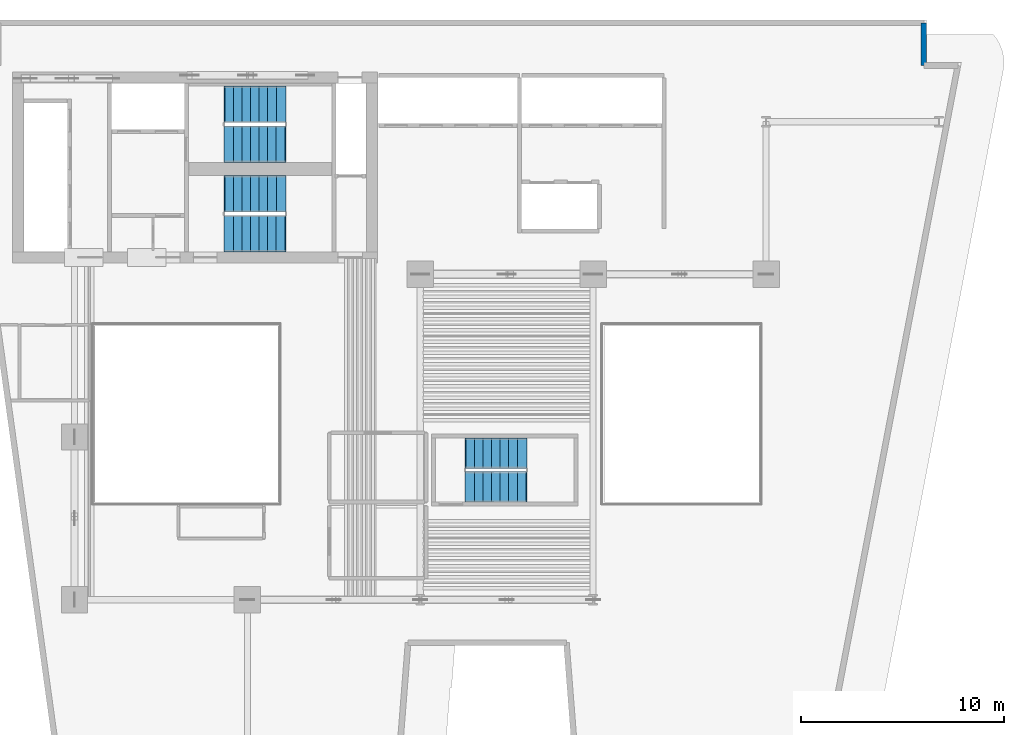
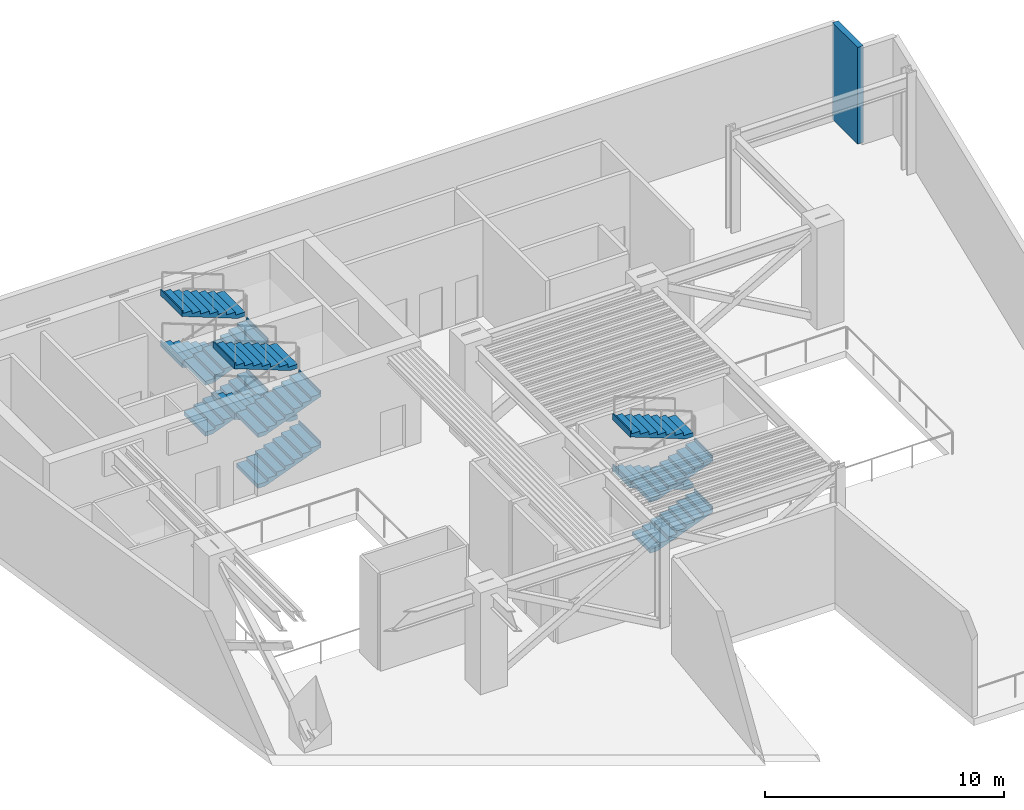
# One storey, part 5 of 8: 12 stair flights, 1 wall, 3 elements without a shape of their own.
"""IFC4 building model written with IfcOpenShell, lengths in metres."""

from ifc_helpers import new_model, si_unit, direction, frame, frame_2d, origin, place, context, subcontext, project, spatial, polyline, rectangle, outline, extrude, material, layer, layer_set, type_object, element, aggregate, save


model = new_model("IFC4")

# Units and contexts
model_context = context("Model", 3, precision=1e-05, world=origin(), true_north=direction((0.0, 1.0)))
body_context = subcontext(model_context, "Body", "Model", "MODEL_VIEW")
ifc_project = project(units=[si_unit("LENGTHUNIT", "METRE"), si_unit("AREAUNIT", "SQUARE_METRE"), si_unit("VOLUMEUNIT", "CUBIC_METRE"), si_unit("PLANEANGLEUNIT", "RADIAN"), si_unit("MASSUNIT", "GRAM", prefix="KILO")], contexts=[model_context])

# Site, building, storey
site_placement = place(None, origin())
site = spatial("IfcSite", under=ifc_project, at=site_placement, CompositionType="ELEMENT")
building_placement = place(site_placement, origin())
building = spatial("IfcBuilding", under=site, at=building_placement, Name="Caeloran Harvest Quay", CompositionType="ELEMENT")
storey_placement = place(building_placement, frame((0.0, 0.0, 106.199951171875)))
storey = spatial("IfcBuildingStorey", under=building, at=storey_placement, Name="L24", CompositionType="ELEMENT", Elevation=106.199951171875)

# Wall
ifc_material_1 = material(Name="Precast concrete C50/60", Category="concrete")
ifc_layer = layer(ifc_material_1, 0.280029296875, Name="Precast concrete C50/60")
ifc_layer_set = layer_set([ifc_layer], Name="Precast concrete C50/60")
wall_type = type_object("IfcWallType", Name="ENV-WALL-EW-280", PredefinedType="STANDARD", material=ifc_layer_set)
wall_placement = place(storey_placement, frame((50.260009765625, 43.360107421875, 0.0), z_axis=(0.0, 0.0, 1.0), x_axis=(0.0, -1.0, 0.0)))
element("IfcWall", 1, at=wall_placement, inside=storey, type_object=wall_type, Name="L24 Exterior Precast Concrete Facade Wall 7", PredefinedType="STANDARD", context=body_context, shape_type="SweptSolid", body=[
    extrude(rectangle(XDim=2.10009765625, YDim=0.280029296875, at=frame_2d((1.050048828125, 0.0))), origin(), (0.0, 0.0, 1.0), 4.93994140625),
])

# Stair, stair flights
ifc_material_2 = material(Name="Concrete C50/60", Category="concrete")
stair_type_1 = type_object("IfcStairType", Name="STAIR-STC-180", PredefinedType="HALF_TURN_STAIR", material=ifc_material_2)
stair_1_placement = place(storey_placement, origin())
stair_1 = element("IfcStair", 2, at=stair_1_placement, inside=storey, type_object=stair_type_1, Name="L24 Core Pressurized Exit Stair ST-C1", PredefinedType="HALF_TURN_STAIR")
stair_flight_type_1 = type_object("IfcStairFlightType", Name="FLIGHT-STC-180", PredefinedType="STRAIGHT", material=ifc_material_2)
stair_flight_1_placement = place(storey_placement, frame((15.89990234375, 37.39990234375, 0.0), z_axis=(0.0, 0.0, 1.0), x_axis=(1.0, 0.0, 0.0)))
stair_flight_1 = element("IfcStairFlight", 3, at=stair_flight_1_placement, type_object=stair_flight_type_1, Name="ST-C1 flight 1", NumberOfRisers=8, NumberOfTreads=7, PredefinedType="STRAIGHT", RiserHeight=0.1625, TreadLength=0.42, context=body_context, shape_type="SweptSolid", body=[
    extrude(outline(polyline([(-0.054931640625, -0.044921875), (-0.054931640625, -0.031982421875), (-0.054931640625, -0.01904296875), (-0.054931640625, -0.006103515625), (-0.054931640625, 0.0068359375), (-0.054931640625, 0.019775390625), (-0.054931640625, 0.03271484375), (-0.054931640625, 0.0458984375), (-0.054931640625, 0.058837890625), (-0.054931640625, 0.07177734375), (-0.054931640625, 0.084716796875), (-0.054931640625, 0.09765625), (-0.054931640625, 0.110595703125), (-0.054931640625, 0.12353515625), (-0.054931640625, 0.136474609375), (-0.054931640625, 0.1494140625), (-0.054931640625, 0.16259765625), (0.419921875, 0.16259765625), (0.419921875, 0.324951171875), (0.840087890625, 0.324951171875), (0.840087890625, 0.487548828125), (1.260009765625, 0.487548828125), (1.260009765625, 0.64990234375), (1.679931640625, 0.64990234375), (1.679931640625, 0.8125), (2.10009765625, 0.8125), (2.10009765625, 0.97509765625), (2.52001953125, 0.97509765625), (2.52001953125, 1.137451171875), (2.93994140625, 1.137451171875), (2.93994140625, 1.300048828125), (2.9951171875, 1.300048828125), (2.9951171875, 1.27978515625), (2.9951171875, 1.259521484375), (2.9951171875, 1.239501953125), (2.9951171875, 1.21923828125), (2.9951171875, 1.198974609375), (2.9951171875, 1.1787109375), (2.9951171875, 1.15869140625), (2.9951171875, 1.138427734375), (2.9951171875, 1.1181640625), (2.9951171875, 1.097900390625), (2.9951171875, 1.077880859375), (2.9951171875, 1.0576171875), (2.9951171875, 1.037353515625), (2.9951171875, 1.01708984375), (2.9951171875, 0.9970703125), (2.9951171875, 0.976806640625), (2.93994140625, 0.976806640625), (0.299072265625, -0.044921875), (-0.054931640625, -0.044921875)])), frame((0.0, 0.89990234375, 0.0), z_axis=(0.0, -1.0, 0.0), x_axis=(1.0, 0.0, 0.0)), (0.0, 0.0, 1.0), 1.800048828125),
])
stair_flight_2_placement = place(storey_placement, frame((18.840087890625, 39.35009765625, 1.300048828125), z_axis=(0.0, 0.0, 1.0), x_axis=(-1.0, 0.0, 0.0)))
stair_flight_2 = element("IfcStairFlight", 4, at=stair_flight_2_placement, type_object=stair_flight_type_1, Name="ST-C1 flight 2", NumberOfRisers=8, NumberOfTreads=7, PredefinedType="STRAIGHT", RiserHeight=0.1625, TreadLength=0.42, context=body_context, shape_type="SweptSolid", body=[
    extrude(outline(polyline([(-0.054931640625, -0.044921875), (-0.054931640625, -0.031982421875), (-0.054931640625, -0.01904296875), (-0.054931640625, -0.006103515625), (-0.054931640625, 0.0068359375), (-0.054931640625, 0.019775390625), (-0.054931640625, 0.03271484375), (-0.054931640625, 0.0458984375), (-0.054931640625, 0.058837890625), (-0.054931640625, 0.07177734375), (-0.054931640625, 0.084716796875), (-0.054931640625, 0.09765625), (-0.054931640625, 0.110595703125), (-0.054931640625, 0.12353515625), (-0.054931640625, 0.136474609375), (-0.054931640625, 0.1494140625), (-0.054931640625, 0.16259765625), (0.419921875, 0.16259765625), (0.419921875, 0.324951171875), (0.840087890625, 0.324951171875), (0.840087890625, 0.487548828125), (1.260009765625, 0.487548828125), (1.260009765625, 0.64990234375), (1.679931640625, 0.64990234375), (1.679931640625, 0.8125), (2.10009765625, 0.8125), (2.10009765625, 0.97509765625), (2.52001953125, 0.97509765625), (2.52001953125, 1.137451171875), (2.93994140625, 1.137451171875), (2.93994140625, 1.300048828125), (2.9951171875, 1.300048828125), (2.9951171875, 1.27978515625), (2.9951171875, 1.259521484375), (2.9951171875, 1.239501953125), (2.9951171875, 1.21923828125), (2.9951171875, 1.198974609375), (2.9951171875, 1.1787109375), (2.9951171875, 1.15869140625), (2.9951171875, 1.138427734375), (2.9951171875, 1.1181640625), (2.9951171875, 1.097900390625), (2.9951171875, 1.077880859375), (2.9951171875, 1.0576171875), (2.9951171875, 1.037353515625), (2.9951171875, 1.01708984375), (2.9951171875, 0.9970703125), (2.9951171875, 0.976806640625), (2.93994140625, 0.976806640625), (0.299072265625, -0.044921875), (-0.054931640625, -0.044921875)])), frame((0.0, 0.89990234375, 0.0), z_axis=(0.0, -1.0, 0.0), x_axis=(1.0, 0.0, 0.0)), (0.0, 0.0, 1.0), 1.800048828125),
])
stair_flight_3_placement = place(storey_placement, frame((15.89990234375, 37.39990234375, 2.60009765625), z_axis=(0.0, 0.0, 1.0), x_axis=(1.0, 0.0, 0.0)))
stair_flight_3 = element("IfcStairFlight", 5, at=stair_flight_3_placement, type_object=stair_flight_type_1, Name="ST-C1 flight 3", NumberOfRisers=8, NumberOfTreads=7, PredefinedType="STRAIGHT", RiserHeight=0.1625, TreadLength=0.42, context=body_context, shape_type="SweptSolid", body=[
    extrude(outline(polyline([(-0.054931640625, -0.044921875), (-0.054931640625, -0.031982421875), (-0.054931640625, -0.01904296875), (-0.054931640625, -0.006103515625), (-0.054931640625, 0.0068359375), (-0.054931640625, 0.019775390625), (-0.054931640625, 0.03271484375), (-0.054931640625, 0.0458984375), (-0.054931640625, 0.058837890625), (-0.054931640625, 0.07177734375), (-0.054931640625, 0.084716796875), (-0.054931640625, 0.09765625), (-0.054931640625, 0.110595703125), (-0.054931640625, 0.12353515625), (-0.054931640625, 0.136474609375), (-0.054931640625, 0.1494140625), (-0.054931640625, 0.16259765625), (0.419921875, 0.16259765625), (0.419921875, 0.324951171875), (0.840087890625, 0.324951171875), (0.840087890625, 0.487548828125), (1.260009765625, 0.487548828125), (1.260009765625, 0.64990234375), (1.679931640625, 0.64990234375), (1.679931640625, 0.8125), (2.10009765625, 0.8125), (2.10009765625, 0.97509765625), (2.52001953125, 0.97509765625), (2.52001953125, 1.137451171875), (2.93994140625, 1.137451171875), (2.93994140625, 1.300048828125), (2.9951171875, 1.300048828125), (2.9951171875, 1.27978515625), (2.9951171875, 1.259521484375), (2.9951171875, 1.239501953125), (2.9951171875, 1.21923828125), (2.9951171875, 1.198974609375), (2.9951171875, 1.1787109375), (2.9951171875, 1.15869140625), (2.9951171875, 1.138427734375), (2.9951171875, 1.1181640625), (2.9951171875, 1.097900390625), (2.9951171875, 1.077880859375), (2.9951171875, 1.0576171875), (2.9951171875, 1.037353515625), (2.9951171875, 1.01708984375), (2.9951171875, 0.9970703125), (2.9951171875, 0.976806640625), (2.93994140625, 0.976806640625), (0.299072265625, -0.044921875), (-0.054931640625, -0.044921875)])), frame((0.0, 0.89990234375, 0.0), z_axis=(0.0, -1.0, 0.0), x_axis=(1.0, 0.0, 0.0)), (0.0, 0.0, 1.0), 1.800048828125),
])
stair_flight_4_placement = place(storey_placement, frame((18.840087890625, 39.35009765625, 3.900146484375), z_axis=(0.0, 0.0, 1.0), x_axis=(-1.0, 0.0, 0.0)))
stair_flight_4 = element("IfcStairFlight", 6, at=stair_flight_4_placement, type_object=stair_flight_type_1, Name="ST-C1 flight 4", NumberOfRisers=8, NumberOfTreads=7, PredefinedType="STRAIGHT", RiserHeight=0.1625, TreadLength=0.42, context=body_context, shape_type="SweptSolid", body=[
    extrude(outline(polyline([(-0.054931640625, -0.044921875), (-0.054931640625, -0.031982421875), (-0.054931640625, -0.01904296875), (-0.054931640625, -0.006103515625), (-0.054931640625, 0.0068359375), (-0.054931640625, 0.019775390625), (-0.054931640625, 0.03271484375), (-0.054931640625, 0.0458984375), (-0.054931640625, 0.058837890625), (-0.054931640625, 0.07177734375), (-0.054931640625, 0.084716796875), (-0.054931640625, 0.09765625), (-0.054931640625, 0.110595703125), (-0.054931640625, 0.12353515625), (-0.054931640625, 0.136474609375), (-0.054931640625, 0.1494140625), (-0.054931640625, 0.16259765625), (0.419921875, 0.16259765625), (0.419921875, 0.324951171875), (0.840087890625, 0.324951171875), (0.840087890625, 0.487548828125), (1.260009765625, 0.487548828125), (1.260009765625, 0.64990234375), (1.679931640625, 0.64990234375), (1.679931640625, 0.8125), (2.10009765625, 0.8125), (2.10009765625, 0.97509765625), (2.52001953125, 0.97509765625), (2.52001953125, 1.137451171875), (2.93994140625, 1.137451171875), (2.93994140625, 1.300048828125), (2.9951171875, 1.300048828125), (2.9951171875, 1.27978515625), (2.9951171875, 1.259521484375), (2.9951171875, 1.239501953125), (2.9951171875, 1.21923828125), (2.9951171875, 1.198974609375), (2.9951171875, 1.1787109375), (2.9951171875, 1.15869140625), (2.9951171875, 1.138427734375), (2.9951171875, 1.1181640625), (2.9951171875, 1.097900390625), (2.9951171875, 1.077880859375), (2.9951171875, 1.0576171875), (2.9951171875, 1.037353515625), (2.9951171875, 1.01708984375), (2.9951171875, 0.9970703125), (2.9951171875, 0.976806640625), (2.93994140625, 0.976806640625), (0.299072265625, -0.044921875), (-0.054931640625, -0.044921875)])), frame((0.0, 0.89990234375, 0.0), z_axis=(0.0, -1.0, 0.0), x_axis=(1.0, 0.0, 0.0)), (0.0, 0.0, 1.0), 1.800048828125),
])
aggregate(stair_1, [stair_flight_1, stair_flight_2, stair_flight_3, stair_flight_4])

stair_2_placement = place(storey_placement, origin())
stair_2 = element("IfcStair", 7, at=stair_2_placement, inside=storey, type_object=stair_type_1, Name="L24 Core Pressurized Exit Stair ST-C2", PredefinedType="HALF_TURN_STAIR")
stair_flight_5_placement = place(storey_placement, frame((15.89990234375, 33.0, 0.0), z_axis=(0.0, 0.0, 1.0), x_axis=(1.0, 0.0, 0.0)))
stair_flight_5 = element("IfcStairFlight", 8, at=stair_flight_5_placement, type_object=stair_flight_type_1, Name="ST-C2 flight 1", NumberOfRisers=8, NumberOfTreads=7, PredefinedType="STRAIGHT", RiserHeight=0.1625, TreadLength=0.42, context=body_context, shape_type="SweptSolid", body=[
    extrude(outline(polyline([(-0.054931640625, -0.044921875), (-0.054931640625, -0.031982421875), (-0.054931640625, -0.01904296875), (-0.054931640625, -0.006103515625), (-0.054931640625, 0.0068359375), (-0.054931640625, 0.019775390625), (-0.054931640625, 0.03271484375), (-0.054931640625, 0.0458984375), (-0.054931640625, 0.058837890625), (-0.054931640625, 0.07177734375), (-0.054931640625, 0.084716796875), (-0.054931640625, 0.09765625), (-0.054931640625, 0.110595703125), (-0.054931640625, 0.12353515625), (-0.054931640625, 0.136474609375), (-0.054931640625, 0.1494140625), (-0.054931640625, 0.16259765625), (0.419921875, 0.16259765625), (0.419921875, 0.324951171875), (0.840087890625, 0.324951171875), (0.840087890625, 0.487548828125), (1.260009765625, 0.487548828125), (1.260009765625, 0.64990234375), (1.679931640625, 0.64990234375), (1.679931640625, 0.8125), (2.10009765625, 0.8125), (2.10009765625, 0.97509765625), (2.52001953125, 0.97509765625), (2.52001953125, 1.137451171875), (2.93994140625, 1.137451171875), (2.93994140625, 1.300048828125), (2.9951171875, 1.300048828125), (2.9951171875, 1.27978515625), (2.9951171875, 1.259521484375), (2.9951171875, 1.239501953125), (2.9951171875, 1.21923828125), (2.9951171875, 1.198974609375), (2.9951171875, 1.1787109375), (2.9951171875, 1.15869140625), (2.9951171875, 1.138427734375), (2.9951171875, 1.1181640625), (2.9951171875, 1.097900390625), (2.9951171875, 1.077880859375), (2.9951171875, 1.0576171875), (2.9951171875, 1.037353515625), (2.9951171875, 1.01708984375), (2.9951171875, 0.9970703125), (2.9951171875, 0.976806640625), (2.93994140625, 0.976806640625), (0.299072265625, -0.044921875), (-0.054931640625, -0.044921875)])), frame((0.0, 0.89990234375, 0.0), z_axis=(0.0, -1.0, 0.0), x_axis=(1.0, 0.0, 0.0)), (0.0, 0.0, 1.0), 1.800048828125),
])
stair_flight_6_placement = place(storey_placement, frame((18.840087890625, 34.949951171875, 1.300048828125), z_axis=(0.0, 0.0, 1.0), x_axis=(-1.0, 0.0, 0.0)))
stair_flight_6 = element("IfcStairFlight", 9, at=stair_flight_6_placement, type_object=stair_flight_type_1, Name="ST-C2 flight 2", NumberOfRisers=8, NumberOfTreads=7, PredefinedType="STRAIGHT", RiserHeight=0.1625, TreadLength=0.42, context=body_context, shape_type="SweptSolid", body=[
    extrude(outline(polyline([(-0.054931640625, -0.044921875), (-0.054931640625, -0.031982421875), (-0.054931640625, -0.01904296875), (-0.054931640625, -0.006103515625), (-0.054931640625, 0.0068359375), (-0.054931640625, 0.019775390625), (-0.054931640625, 0.03271484375), (-0.054931640625, 0.0458984375), (-0.054931640625, 0.058837890625), (-0.054931640625, 0.07177734375), (-0.054931640625, 0.084716796875), (-0.054931640625, 0.09765625), (-0.054931640625, 0.110595703125), (-0.054931640625, 0.12353515625), (-0.054931640625, 0.136474609375), (-0.054931640625, 0.1494140625), (-0.054931640625, 0.16259765625), (0.419921875, 0.16259765625), (0.419921875, 0.324951171875), (0.840087890625, 0.324951171875), (0.840087890625, 0.487548828125), (1.260009765625, 0.487548828125), (1.260009765625, 0.64990234375), (1.679931640625, 0.64990234375), (1.679931640625, 0.8125), (2.10009765625, 0.8125), (2.10009765625, 0.97509765625), (2.52001953125, 0.97509765625), (2.52001953125, 1.137451171875), (2.93994140625, 1.137451171875), (2.93994140625, 1.300048828125), (2.9951171875, 1.300048828125), (2.9951171875, 1.27978515625), (2.9951171875, 1.259521484375), (2.9951171875, 1.239501953125), (2.9951171875, 1.21923828125), (2.9951171875, 1.198974609375), (2.9951171875, 1.1787109375), (2.9951171875, 1.15869140625), (2.9951171875, 1.138427734375), (2.9951171875, 1.1181640625), (2.9951171875, 1.097900390625), (2.9951171875, 1.077880859375), (2.9951171875, 1.0576171875), (2.9951171875, 1.037353515625), (2.9951171875, 1.01708984375), (2.9951171875, 0.9970703125), (2.9951171875, 0.976806640625), (2.93994140625, 0.976806640625), (0.299072265625, -0.044921875), (-0.054931640625, -0.044921875)])), frame((0.0, 0.89990234375, 0.0), z_axis=(0.0, -1.0, 0.0), x_axis=(1.0, 0.0, 0.0)), (0.0, 0.0, 1.0), 1.800048828125),
])
stair_flight_7_placement = place(storey_placement, frame((15.89990234375, 33.0, 2.60009765625), z_axis=(0.0, 0.0, 1.0), x_axis=(1.0, 0.0, 0.0)))
stair_flight_7 = element("IfcStairFlight", 10, at=stair_flight_7_placement, type_object=stair_flight_type_1, Name="ST-C2 flight 3", NumberOfRisers=8, NumberOfTreads=7, PredefinedType="STRAIGHT", RiserHeight=0.1625, TreadLength=0.42, context=body_context, shape_type="SweptSolid", body=[
    extrude(outline(polyline([(-0.054931640625, -0.044921875), (-0.054931640625, -0.031982421875), (-0.054931640625, -0.01904296875), (-0.054931640625, -0.006103515625), (-0.054931640625, 0.0068359375), (-0.054931640625, 0.019775390625), (-0.054931640625, 0.03271484375), (-0.054931640625, 0.0458984375), (-0.054931640625, 0.058837890625), (-0.054931640625, 0.07177734375), (-0.054931640625, 0.084716796875), (-0.054931640625, 0.09765625), (-0.054931640625, 0.110595703125), (-0.054931640625, 0.12353515625), (-0.054931640625, 0.136474609375), (-0.054931640625, 0.1494140625), (-0.054931640625, 0.16259765625), (0.419921875, 0.16259765625), (0.419921875, 0.324951171875), (0.840087890625, 0.324951171875), (0.840087890625, 0.487548828125), (1.260009765625, 0.487548828125), (1.260009765625, 0.64990234375), (1.679931640625, 0.64990234375), (1.679931640625, 0.8125), (2.10009765625, 0.8125), (2.10009765625, 0.97509765625), (2.52001953125, 0.97509765625), (2.52001953125, 1.137451171875), (2.93994140625, 1.137451171875), (2.93994140625, 1.300048828125), (2.9951171875, 1.300048828125), (2.9951171875, 1.27978515625), (2.9951171875, 1.259521484375), (2.9951171875, 1.239501953125), (2.9951171875, 1.21923828125), (2.9951171875, 1.198974609375), (2.9951171875, 1.1787109375), (2.9951171875, 1.15869140625), (2.9951171875, 1.138427734375), (2.9951171875, 1.1181640625), (2.9951171875, 1.097900390625), (2.9951171875, 1.077880859375), (2.9951171875, 1.0576171875), (2.9951171875, 1.037353515625), (2.9951171875, 1.01708984375), (2.9951171875, 0.9970703125), (2.9951171875, 0.976806640625), (2.93994140625, 0.976806640625), (0.299072265625, -0.044921875), (-0.054931640625, -0.044921875)])), frame((0.0, 0.89990234375, 0.0), z_axis=(0.0, -1.0, 0.0), x_axis=(1.0, 0.0, 0.0)), (0.0, 0.0, 1.0), 1.800048828125),
])
stair_flight_8_placement = place(storey_placement, frame((18.840087890625, 34.949951171875, 3.900146484375), z_axis=(0.0, 0.0, 1.0), x_axis=(-1.0, 0.0, 0.0)))
stair_flight_8 = element("IfcStairFlight", 11, at=stair_flight_8_placement, type_object=stair_flight_type_1, Name="ST-C2 flight 4", NumberOfRisers=8, NumberOfTreads=7, PredefinedType="STRAIGHT", RiserHeight=0.1625, TreadLength=0.42, context=body_context, shape_type="SweptSolid", body=[
    extrude(outline(polyline([(-0.054931640625, -0.044921875), (-0.054931640625, -0.031982421875), (-0.054931640625, -0.01904296875), (-0.054931640625, -0.006103515625), (-0.054931640625, 0.0068359375), (-0.054931640625, 0.019775390625), (-0.054931640625, 0.03271484375), (-0.054931640625, 0.0458984375), (-0.054931640625, 0.058837890625), (-0.054931640625, 0.07177734375), (-0.054931640625, 0.084716796875), (-0.054931640625, 0.09765625), (-0.054931640625, 0.110595703125), (-0.054931640625, 0.12353515625), (-0.054931640625, 0.136474609375), (-0.054931640625, 0.1494140625), (-0.054931640625, 0.16259765625), (0.419921875, 0.16259765625), (0.419921875, 0.324951171875), (0.840087890625, 0.324951171875), (0.840087890625, 0.487548828125), (1.260009765625, 0.487548828125), (1.260009765625, 0.64990234375), (1.679931640625, 0.64990234375), (1.679931640625, 0.8125), (2.10009765625, 0.8125), (2.10009765625, 0.97509765625), (2.52001953125, 0.97509765625), (2.52001953125, 1.137451171875), (2.93994140625, 1.137451171875), (2.93994140625, 1.300048828125), (2.9951171875, 1.300048828125), (2.9951171875, 1.27978515625), (2.9951171875, 1.259521484375), (2.9951171875, 1.239501953125), (2.9951171875, 1.21923828125), (2.9951171875, 1.198974609375), (2.9951171875, 1.1787109375), (2.9951171875, 1.15869140625), (2.9951171875, 1.138427734375), (2.9951171875, 1.1181640625), (2.9951171875, 1.097900390625), (2.9951171875, 1.077880859375), (2.9951171875, 1.0576171875), (2.9951171875, 1.037353515625), (2.9951171875, 1.01708984375), (2.9951171875, 0.9970703125), (2.9951171875, 0.976806640625), (2.93994140625, 0.976806640625), (0.299072265625, -0.044921875), (-0.054931640625, -0.044921875)])), frame((0.0, 0.89990234375, 0.0), z_axis=(0.0, -1.0, 0.0), x_axis=(1.0, 0.0, 0.0)), (0.0, 0.0, 1.0), 1.800048828125),
])
aggregate(stair_2, [stair_flight_5, stair_flight_6, stair_flight_7, stair_flight_8])

stair_type_2 = type_object("IfcStairType", Name="STAIR-STW-150", PredefinedType="HALF_TURN_STAIR", material=ifc_material_2)
stair_3_placement = place(storey_placement, origin())
stair_3 = element("IfcStair", 12, at=stair_3_placement, inside=storey, type_object=stair_type_2, Name="L24 East Wing Protected Exit Stair ST-W1", PredefinedType="HALF_TURN_STAIR")
stair_flight_type_2 = type_object("IfcStairFlightType", Name="FLIGHT-STW-150", PredefinedType="STRAIGHT", material=ifc_material_2)
stair_flight_9_placement = place(storey_placement, frame((27.75, 20.550048828125, 0.0), z_axis=(0.0, 0.0, 1.0), x_axis=(1.0, 0.0, 0.0)))
stair_flight_9 = element("IfcStairFlight", 13, at=stair_flight_9_placement, type_object=stair_flight_type_2, Name="ST-W1 flight 1", NumberOfRisers=8, NumberOfTreads=7, PredefinedType="STRAIGHT", RiserHeight=0.1625, TreadLength=0.42, context=body_context, shape_type="SweptSolid", body=[
    extrude(outline(polyline([(-0.054931640625, -0.044921875), (-0.054931640625, -0.031982421875), (-0.054931640625, -0.01904296875), (-0.054931640625, -0.006103515625), (-0.054931640625, 0.0068359375), (-0.054931640625, 0.019775390625), (-0.054931640625, 0.03271484375), (-0.054931640625, 0.0458984375), (-0.054931640625, 0.058837890625), (-0.054931640625, 0.07177734375), (-0.054931640625, 0.084716796875), (-0.054931640625, 0.09765625), (-0.054931640625, 0.110595703125), (-0.054931640625, 0.12353515625), (-0.054931640625, 0.136474609375), (-0.054931640625, 0.1494140625), (-0.054931640625, 0.16259765625), (0.419921875, 0.16259765625), (0.419921875, 0.324951171875), (0.840087890625, 0.324951171875), (0.840087890625, 0.487548828125), (1.260009765625, 0.487548828125), (1.260009765625, 0.64990234375), (1.679931640625, 0.64990234375), (1.679931640625, 0.8125), (2.10009765625, 0.8125), (2.10009765625, 0.97509765625), (2.52001953125, 0.97509765625), (2.52001953125, 1.137451171875), (2.93994140625, 1.137451171875), (2.93994140625, 1.300048828125), (2.9951171875, 1.300048828125), (2.9951171875, 1.27978515625), (2.9951171875, 1.259521484375), (2.9951171875, 1.239501953125), (2.9951171875, 1.21923828125), (2.9951171875, 1.198974609375), (2.9951171875, 1.1787109375), (2.9951171875, 1.15869140625), (2.9951171875, 1.138427734375), (2.9951171875, 1.1181640625), (2.9951171875, 1.097900390625), (2.9951171875, 1.077880859375), (2.9951171875, 1.0576171875), (2.9951171875, 1.037353515625), (2.9951171875, 1.01708984375), (2.9951171875, 0.9970703125), (2.9951171875, 0.976806640625), (2.93994140625, 0.976806640625), (0.299072265625, -0.044921875), (-0.054931640625, -0.044921875)])), frame((0.0, 0.75, 0.0), z_axis=(0.0, -1.0, 0.0), x_axis=(1.0, 0.0, 0.0)), (0.0, 0.0, 1.0), 1.5),
])
stair_flight_10_placement = place(storey_placement, frame((30.68994140625, 22.199951171875, 1.300048828125), z_axis=(0.0, 0.0, 1.0), x_axis=(-1.0, 0.0, 0.0)))
stair_flight_10 = element("IfcStairFlight", 14, at=stair_flight_10_placement, type_object=stair_flight_type_2, Name="ST-W1 flight 2", NumberOfRisers=8, NumberOfTreads=7, PredefinedType="STRAIGHT", RiserHeight=0.1625, TreadLength=0.42, context=body_context, shape_type="SweptSolid", body=[
    extrude(outline(polyline([(-0.054931640625, -0.044921875), (-0.054931640625, -0.031982421875), (-0.054931640625, -0.01904296875), (-0.054931640625, -0.006103515625), (-0.054931640625, 0.0068359375), (-0.054931640625, 0.019775390625), (-0.054931640625, 0.03271484375), (-0.054931640625, 0.0458984375), (-0.054931640625, 0.058837890625), (-0.054931640625, 0.07177734375), (-0.054931640625, 0.084716796875), (-0.054931640625, 0.09765625), (-0.054931640625, 0.110595703125), (-0.054931640625, 0.12353515625), (-0.054931640625, 0.136474609375), (-0.054931640625, 0.1494140625), (-0.054931640625, 0.16259765625), (0.419921875, 0.16259765625), (0.419921875, 0.324951171875), (0.840087890625, 0.324951171875), (0.840087890625, 0.487548828125), (1.260009765625, 0.487548828125), (1.260009765625, 0.64990234375), (1.679931640625, 0.64990234375), (1.679931640625, 0.8125), (2.10009765625, 0.8125), (2.10009765625, 0.97509765625), (2.52001953125, 0.97509765625), (2.52001953125, 1.137451171875), (2.93994140625, 1.137451171875), (2.93994140625, 1.300048828125), (2.9951171875, 1.300048828125), (2.9951171875, 1.27978515625), (2.9951171875, 1.259521484375), (2.9951171875, 1.239501953125), (2.9951171875, 1.21923828125), (2.9951171875, 1.198974609375), (2.9951171875, 1.1787109375), (2.9951171875, 1.15869140625), (2.9951171875, 1.138427734375), (2.9951171875, 1.1181640625), (2.9951171875, 1.097900390625), (2.9951171875, 1.077880859375), (2.9951171875, 1.0576171875), (2.9951171875, 1.037353515625), (2.9951171875, 1.01708984375), (2.9951171875, 0.9970703125), (2.9951171875, 0.976806640625), (2.93994140625, 0.976806640625), (0.299072265625, -0.044921875), (-0.054931640625, -0.044921875)])), frame((0.0, 0.75, 0.0), z_axis=(0.0, -1.0, 0.0), x_axis=(1.0, 0.0, 0.0)), (0.0, 0.0, 1.0), 1.5),
])
stair_flight_11_placement = place(storey_placement, frame((27.75, 20.550048828125, 2.60009765625), z_axis=(0.0, 0.0, 1.0), x_axis=(1.0, 0.0, 0.0)))
stair_flight_11 = element("IfcStairFlight", 15, at=stair_flight_11_placement, type_object=stair_flight_type_2, Name="ST-W1 flight 3", NumberOfRisers=8, NumberOfTreads=7, PredefinedType="STRAIGHT", RiserHeight=0.1625, TreadLength=0.42, context=body_context, shape_type="SweptSolid", body=[
    extrude(outline(polyline([(-0.054931640625, -0.044921875), (-0.054931640625, -0.031982421875), (-0.054931640625, -0.01904296875), (-0.054931640625, -0.006103515625), (-0.054931640625, 0.0068359375), (-0.054931640625, 0.019775390625), (-0.054931640625, 0.03271484375), (-0.054931640625, 0.0458984375), (-0.054931640625, 0.058837890625), (-0.054931640625, 0.07177734375), (-0.054931640625, 0.084716796875), (-0.054931640625, 0.09765625), (-0.054931640625, 0.110595703125), (-0.054931640625, 0.12353515625), (-0.054931640625, 0.136474609375), (-0.054931640625, 0.1494140625), (-0.054931640625, 0.16259765625), (0.419921875, 0.16259765625), (0.419921875, 0.324951171875), (0.840087890625, 0.324951171875), (0.840087890625, 0.487548828125), (1.260009765625, 0.487548828125), (1.260009765625, 0.64990234375), (1.679931640625, 0.64990234375), (1.679931640625, 0.8125), (2.10009765625, 0.8125), (2.10009765625, 0.97509765625), (2.52001953125, 0.97509765625), (2.52001953125, 1.137451171875), (2.93994140625, 1.137451171875), (2.93994140625, 1.300048828125), (2.9951171875, 1.300048828125), (2.9951171875, 1.27978515625), (2.9951171875, 1.259521484375), (2.9951171875, 1.239501953125), (2.9951171875, 1.21923828125), (2.9951171875, 1.198974609375), (2.9951171875, 1.1787109375), (2.9951171875, 1.15869140625), (2.9951171875, 1.138427734375), (2.9951171875, 1.1181640625), (2.9951171875, 1.097900390625), (2.9951171875, 1.077880859375), (2.9951171875, 1.0576171875), (2.9951171875, 1.037353515625), (2.9951171875, 1.01708984375), (2.9951171875, 0.9970703125), (2.9951171875, 0.976806640625), (2.93994140625, 0.976806640625), (0.299072265625, -0.044921875), (-0.054931640625, -0.044921875)])), frame((0.0, 0.75, 0.0), z_axis=(0.0, -1.0, 0.0), x_axis=(1.0, 0.0, 0.0)), (0.0, 0.0, 1.0), 1.5),
])
stair_flight_12_placement = place(storey_placement, frame((30.68994140625, 22.199951171875, 3.900146484375), z_axis=(0.0, 0.0, 1.0), x_axis=(-1.0, 0.0, 0.0)))
stair_flight_12 = element("IfcStairFlight", 16, at=stair_flight_12_placement, type_object=stair_flight_type_2, Name="ST-W1 flight 4", NumberOfRisers=8, NumberOfTreads=7, PredefinedType="STRAIGHT", RiserHeight=0.1625, TreadLength=0.42, context=body_context, shape_type="SweptSolid", body=[
    extrude(outline(polyline([(-0.054931640625, -0.044921875), (-0.054931640625, -0.031982421875), (-0.054931640625, -0.01904296875), (-0.054931640625, -0.006103515625), (-0.054931640625, 0.0068359375), (-0.054931640625, 0.019775390625), (-0.054931640625, 0.03271484375), (-0.054931640625, 0.0458984375), (-0.054931640625, 0.058837890625), (-0.054931640625, 0.07177734375), (-0.054931640625, 0.084716796875), (-0.054931640625, 0.09765625), (-0.054931640625, 0.110595703125), (-0.054931640625, 0.12353515625), (-0.054931640625, 0.136474609375), (-0.054931640625, 0.1494140625), (-0.054931640625, 0.16259765625), (0.419921875, 0.16259765625), (0.419921875, 0.324951171875), (0.840087890625, 0.324951171875), (0.840087890625, 0.487548828125), (1.260009765625, 0.487548828125), (1.260009765625, 0.64990234375), (1.679931640625, 0.64990234375), (1.679931640625, 0.8125), (2.10009765625, 0.8125), (2.10009765625, 0.97509765625), (2.52001953125, 0.97509765625), (2.52001953125, 1.137451171875), (2.93994140625, 1.137451171875), (2.93994140625, 1.300048828125), (2.9951171875, 1.300048828125), (2.9951171875, 1.27978515625), (2.9951171875, 1.259521484375), (2.9951171875, 1.239501953125), (2.9951171875, 1.21923828125), (2.9951171875, 1.198974609375), (2.9951171875, 1.1787109375), (2.9951171875, 1.15869140625), (2.9951171875, 1.138427734375), (2.9951171875, 1.1181640625), (2.9951171875, 1.097900390625), (2.9951171875, 1.077880859375), (2.9951171875, 1.0576171875), (2.9951171875, 1.037353515625), (2.9951171875, 1.01708984375), (2.9951171875, 0.9970703125), (2.9951171875, 0.976806640625), (2.93994140625, 0.976806640625), (0.299072265625, -0.044921875), (-0.054931640625, -0.044921875)])), frame((0.0, 0.75, 0.0), z_axis=(0.0, -1.0, 0.0), x_axis=(1.0, 0.0, 0.0)), (0.0, 0.0, 1.0), 1.5),
])
aggregate(stair_3, [stair_flight_9, stair_flight_10, stair_flight_11, stair_flight_12])

save(model, "model.ifc")
